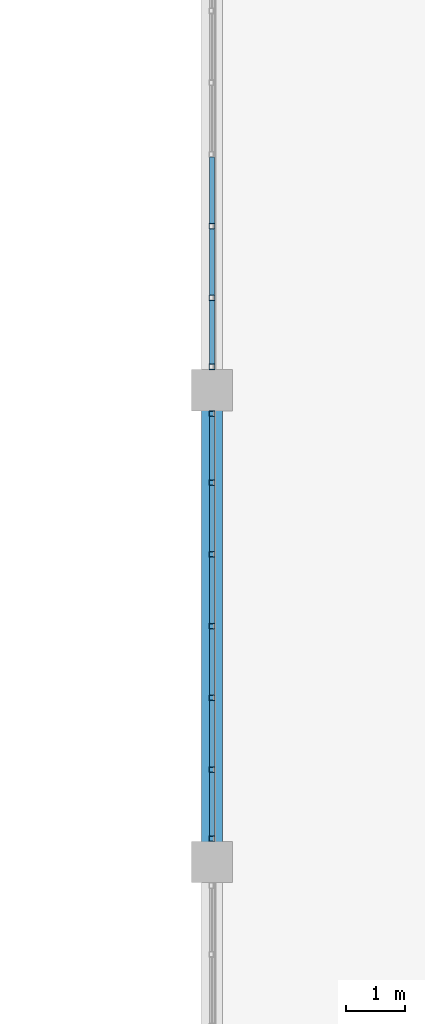
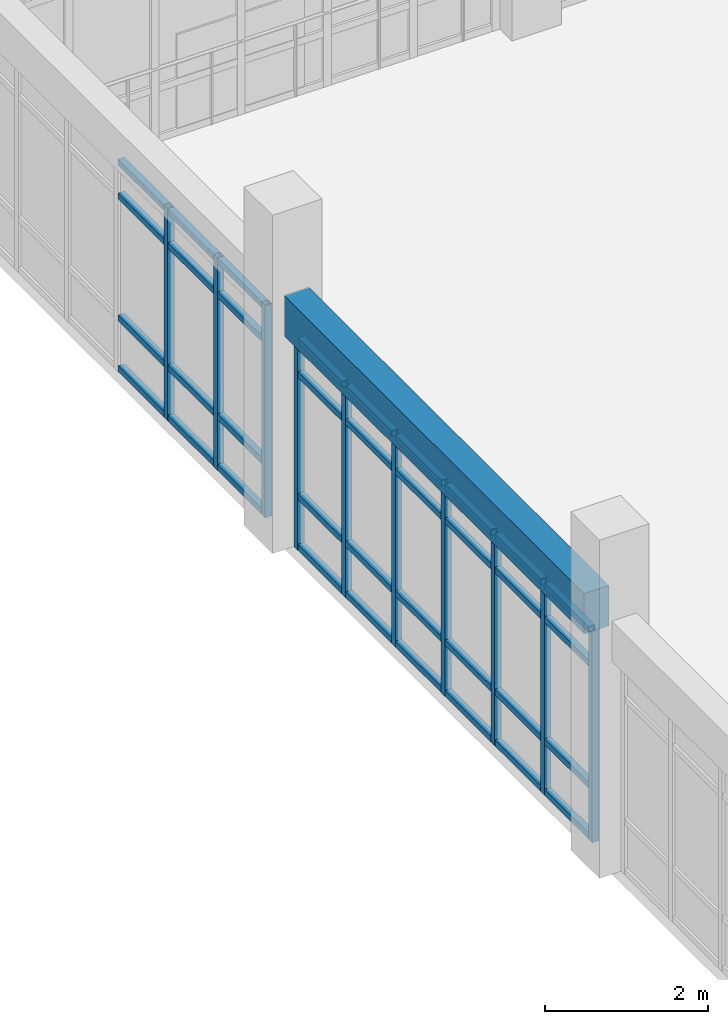
# One storey, part 97 of 159: 46 members, 1 beam, 2 elements without a shape of their own.
"""IFC4 building model written with IfcOpenShell, lengths in metres."""

from ifc_helpers import new_model, si_unit, direction, frame, origin, origin_2d, place, context, subcontext, project, spatial, rectangle, hollow_rectangle, extrude, material, material_profile, profile_set, type_object, element, aggregate, save


model = new_model("IFC4")

# Units and contexts
model_context = context("Model", 3, precision=1e-05, world=origin(), true_north=direction((0.0, 1.0)))
body_context = subcontext(model_context, "Body", "Model", "MODEL_VIEW")
ifc_project = project(units=[si_unit("LENGTHUNIT", "METRE"), si_unit("AREAUNIT", "SQUARE_METRE"), si_unit("VOLUMEUNIT", "CUBIC_METRE"), si_unit("PLANEANGLEUNIT", "RADIAN"), si_unit("MASSUNIT", "GRAM", prefix="KILO")], contexts=[model_context])

# Site, building, storey
site_placement = place(None, origin())
site = spatial("IfcSite", under=ifc_project, at=site_placement, CompositionType="ELEMENT")
building_placement = place(site_placement, origin())
building = spatial("IfcBuilding", under=site, at=building_placement, Name="Celadon Cloister-Ring School", CompositionType="ELEMENT")
storey_placement = place(building_placement, frame((0.0, 0.0, 4.5)))
storey = spatial("IfcBuildingStorey", under=building, at=storey_placement, Name="L01", CompositionType="ELEMENT", Elevation=4.5)

# Beam
ifc_material_1 = material(Name="Concrete C35/45", Category="concrete")
ifc_material_profile_1 = material_profile(ifc_material_1, rectangle(XDim=0.35009765625, YDim=0.60009765625, at=origin_2d()), Name="RC350X600")
ifc_profile_set_1 = profile_set([ifc_material_profile_1], Name="Concrete C35/45")
beam_type = type_object("IfcBeamType", Name="BT-02", PredefinedType="BEAM", material=ifc_profile_set_1)
beam_placement = place(storey_placement, frame((142.0, 98.324951171875, 3.47998046875), z_axis=(0.0, 1.0, 0.0), x_axis=(-1.0, 0.0, 0.0)))
element("IfcBeam", 1, at=beam_placement, inside=storey, type_object=beam_type, Name="Beam 1172", PredefinedType="BEAM", context=body_context, shape_type="SweptSolid", body=[
    extrude(rectangle(XDim=0.35009765625, YDim=0.60009765625, at=origin_2d()), origin(), (0.0, 0.0, 1.0), 7.35009765625),
])

# Curtain wall, members
ifc_material_2 = material(Name="Aluminium EN AW-6063 T6", Category="aluminium")
curtain_wall_type = type_object("IfcCurtainWallType", Name="CW-09", PredefinedType="USERDEFINED", material=ifc_material_2)
curtain_wall_1_placement = place(storey_placement, origin())
curtain_wall_1 = element("IfcCurtainWall", 2, at=curtain_wall_1_placement, inside=storey, type_object=curtain_wall_type, Name="Curtain Wall 0187", ObjectType="CURTAIN WALL", PredefinedType="USERDEFINED")
ifc_material_3 = material(Name="Aluminium EN AW-6063 T6", Category="aluminium")
ifc_material_profile_2 = material_profile(ifc_material_3, hollow_rectangle(XDim=0.094970703125, YDim=0.094970703125, WallThickness=0.00390625, at=origin_2d()), Name="RHS95X95X4")
ifc_profile_set_2 = profile_set([ifc_material_profile_2], Name="Aluminium EN AW-6063 T6")
member_type_1 = type_object("IfcMemberType", Name="CM-02", PredefinedType="MULLION", material=ifc_profile_set_2)
member_1_placement = place(storey_placement, frame((142.0, 98.3974609375, 0.0), z_axis=(0.0, 0.0, 1.0), x_axis=(-1.0, 0.0, 0.0)))
member_1 = element("IfcMember", 3, at=member_1_placement, type_object=member_type_1, Name="CW-09 mullion 1", PredefinedType="MULLION", context=body_context, shape_type="SweptSolid", body=[
    extrude(hollow_rectangle(XDim=0.094970703125, YDim=0.094970703125, WallThickness=0.00390625, at=origin_2d()), origin(), (0.0, 0.0, 1.0), 3.172119140625),
])
member_2_placement = place(storey_placement, frame((142.0, 99.566650390625, 0.0), z_axis=(0.0, 0.0, 1.0), x_axis=(-1.0, 0.0, 0.0)))
member_2 = element("IfcMember", 4, at=member_2_placement, type_object=member_type_1, Name="CW-09 mullion 2", PredefinedType="MULLION", context=body_context, shape_type="SweptSolid", body=[
    extrude(hollow_rectangle(XDim=0.094970703125, YDim=0.094970703125, WallThickness=0.00390625, at=origin_2d()), origin(), (0.0, 0.0, 1.0), 3.172119140625),
])
member_3_placement = place(storey_placement, frame((142.0, 100.783447265625, 0.0), z_axis=(0.0, 0.0, 1.0), x_axis=(-1.0, 0.0, 0.0)))
member_3 = element("IfcMember", 5, at=member_3_placement, type_object=member_type_1, Name="CW-09 mullion 3", PredefinedType="MULLION", context=body_context, shape_type="SweptSolid", body=[
    extrude(hollow_rectangle(XDim=0.094970703125, YDim=0.094970703125, WallThickness=0.00390625, at=origin_2d()), origin(), (0.0, 0.0, 1.0), 3.172119140625),
])
member_4_placement = place(storey_placement, frame((142.0, 102.0, 0.0), z_axis=(0.0, 0.0, 1.0), x_axis=(-1.0, 0.0, 0.0)))
member_4 = element("IfcMember", 6, at=member_4_placement, type_object=member_type_1, Name="CW-09 mullion 4", PredefinedType="MULLION", context=body_context, shape_type="SweptSolid", body=[
    extrude(hollow_rectangle(XDim=0.094970703125, YDim=0.094970703125, WallThickness=0.00390625, at=origin_2d()), origin(), (0.0, 0.0, 1.0), 3.172119140625),
])
member_5_placement = place(storey_placement, frame((142.0, 103.216552734375, 0.0), z_axis=(0.0, 0.0, 1.0), x_axis=(-1.0, 0.0, 0.0)))
member_5 = element("IfcMember", 7, at=member_5_placement, type_object=member_type_1, Name="CW-09 mullion 5", PredefinedType="MULLION", context=body_context, shape_type="SweptSolid", body=[
    extrude(hollow_rectangle(XDim=0.094970703125, YDim=0.094970703125, WallThickness=0.00390625, at=origin_2d()), origin(), (0.0, 0.0, 1.0), 3.172119140625),
])
member_6_placement = place(storey_placement, frame((142.0, 104.433349609375, 0.0), z_axis=(0.0, 0.0, 1.0), x_axis=(-1.0, 0.0, 0.0)))
member_6 = element("IfcMember", 8, at=member_6_placement, type_object=member_type_1, Name="CW-09 mullion 6", PredefinedType="MULLION", context=body_context, shape_type="SweptSolid", body=[
    extrude(hollow_rectangle(XDim=0.094970703125, YDim=0.094970703125, WallThickness=0.00390625, at=origin_2d()), origin(), (0.0, 0.0, 1.0), 3.172119140625),
])
member_7_placement = place(storey_placement, frame((142.0, 105.6025390625, 0.0), z_axis=(0.0, 0.0, 1.0), x_axis=(-1.0, 0.0, 0.0)))
member_7 = element("IfcMember", 9, at=member_7_placement, type_object=member_type_1, Name="CW-09 mullion 7", PredefinedType="MULLION", context=body_context, shape_type="SweptSolid", body=[
    extrude(hollow_rectangle(XDim=0.094970703125, YDim=0.094970703125, WallThickness=0.00390625, at=origin_2d()), origin(), (0.0, 0.0, 1.0), 3.172119140625),
])

curtain_wall_2_placement = place(storey_placement, origin())
curtain_wall_2 = element("IfcCurtainWall", 10, at=curtain_wall_2_placement, inside=storey, type_object=curtain_wall_type, Name="Curtain Wall 0188", ObjectType="CURTAIN WALL", PredefinedType="USERDEFINED")
member_8_placement = place(storey_placement, frame((142.0, 106.3974609375, 0.0), z_axis=(0.0, 0.0, 1.0), x_axis=(-1.0, 0.0, 0.0)))
member_8 = element("IfcMember", 11, at=member_8_placement, type_object=member_type_1, Name="CW-09 mullion 1", PredefinedType="MULLION", context=body_context, shape_type="SweptSolid", body=[
    extrude(hollow_rectangle(XDim=0.094970703125, YDim=0.094970703125, WallThickness=0.00390625, at=origin_2d()), origin(), (0.0, 0.0, 1.0), 3.172119140625),
])
member_9_placement = place(storey_placement, frame((142.0, 107.566650390625, 0.0), z_axis=(0.0, 0.0, 1.0), x_axis=(-1.0, 0.0, 0.0)))
member_9 = element("IfcMember", 12, at=member_9_placement, type_object=member_type_1, Name="CW-09 mullion 2", PredefinedType="MULLION", context=body_context, shape_type="SweptSolid", body=[
    extrude(hollow_rectangle(XDim=0.094970703125, YDim=0.094970703125, WallThickness=0.00390625, at=origin_2d()), origin(), (0.0, 0.0, 1.0), 3.172119140625),
])
member_10_placement = place(storey_placement, frame((142.0, 108.783447265625, 0.0), z_axis=(0.0, 0.0, 1.0), x_axis=(-1.0, 0.0, 0.0)))
member_10 = element("IfcMember", 13, at=member_10_placement, type_object=member_type_1, Name="CW-09 mullion 3", PredefinedType="MULLION", context=body_context, shape_type="SweptSolid", body=[
    extrude(hollow_rectangle(XDim=0.094970703125, YDim=0.094970703125, WallThickness=0.00390625, at=origin_2d()), origin(), (0.0, 0.0, 1.0), 3.172119140625),
])

# Member
ifc_material_4 = material(Name="Aluminium EN AW-6063 T6", Category="aluminium")
ifc_material_profile_3 = material_profile(ifc_material_4, hollow_rectangle(XDim=0.090087890625, YDim=0.090087890625, WallThickness=0.00390625, at=origin_2d()), Name="RHS90X90X4")
ifc_profile_set_3 = profile_set([ifc_material_profile_3], Name="Aluminium EN AW-6063 T6")
member_type_2 = type_object("IfcMemberType", Name="CTM-02", PredefinedType="USERDEFINED", material=ifc_profile_set_3)
member_11_placement = place(storey_placement, frame((142.0, 98.445068359375, 0.044921875), z_axis=(0.0, 1.0, 0.0), x_axis=(-1.0, 0.0, 0.0)))
member_11 = element("IfcMember", 14, at=member_11_placement, type_object=member_type_2, Name="CW-09 transom 1.1", ObjectType="TRANSOM", PredefinedType="USERDEFINED", context=body_context, shape_type="SweptSolid", body=[
    extrude(hollow_rectangle(XDim=0.090087890625, YDim=0.090087890625, WallThickness=0.00390625, at=origin_2d()), origin(), (0.0, 0.0, 1.0), 1.07421875),
])

member_12_placement = place(storey_placement, frame((142.0, 98.445068359375, 0.800048828125), z_axis=(0.0, 1.0, 0.0), x_axis=(-1.0, 0.0, 0.0)))
member_12 = element("IfcMember", 15, at=member_12_placement, type_object=member_type_2, Name="CW-09 transom 1.2", ObjectType="TRANSOM", PredefinedType="USERDEFINED", context=body_context, shape_type="SweptSolid", body=[
    extrude(hollow_rectangle(XDim=0.090087890625, YDim=0.090087890625, WallThickness=0.00390625, at=origin_2d()), origin(), (0.0, 0.0, 1.0), 1.07421875),
])

member_13_placement = place(storey_placement, frame((142.0, 98.445068359375, 2.6220703125), z_axis=(0.0, 1.0, 0.0), x_axis=(-1.0, 0.0, 0.0)))
member_13 = element("IfcMember", 16, at=member_13_placement, type_object=member_type_2, Name="CW-09 transom 1.3", ObjectType="TRANSOM", PredefinedType="USERDEFINED", context=body_context, shape_type="SweptSolid", body=[
    extrude(hollow_rectangle(XDim=0.090087890625, YDim=0.090087890625, WallThickness=0.00390625, at=origin_2d()), origin(), (0.0, 0.0, 1.0), 1.07421875),
])

member_14_placement = place(storey_placement, frame((142.0, 98.445068359375, 3.126953125), z_axis=(0.0, 1.0, 0.0), x_axis=(-1.0, 0.0, 0.0)))
member_14 = element("IfcMember", 17, at=member_14_placement, type_object=member_type_2, Name="CW-09 transom 1.4", ObjectType="TRANSOM", PredefinedType="USERDEFINED", context=body_context, shape_type="SweptSolid", body=[
    extrude(hollow_rectangle(XDim=0.090087890625, YDim=0.090087890625, WallThickness=0.00390625, at=origin_2d()), origin(), (0.0, 0.0, 1.0), 1.07421875),
])

member_15_placement = place(storey_placement, frame((142.0, 99.6142578125, 0.044921875), z_axis=(0.0, 1.0, 0.0), x_axis=(-1.0, 0.0, 0.0)))
member_15 = element("IfcMember", 18, at=member_15_placement, type_object=member_type_2, Name="CW-09 transom 2.1", ObjectType="TRANSOM", PredefinedType="USERDEFINED", context=body_context, shape_type="SweptSolid", body=[
    extrude(hollow_rectangle(XDim=0.090087890625, YDim=0.090087890625, WallThickness=0.00390625, at=origin_2d()), origin(), (0.0, 0.0, 1.0), 1.12158203125),
])

member_16_placement = place(storey_placement, frame((142.0, 99.6142578125, 0.800048828125), z_axis=(0.0, 1.0, 0.0), x_axis=(-1.0, 0.0, 0.0)))
member_16 = element("IfcMember", 19, at=member_16_placement, type_object=member_type_2, Name="CW-09 transom 2.2", ObjectType="TRANSOM", PredefinedType="USERDEFINED", context=body_context, shape_type="SweptSolid", body=[
    extrude(hollow_rectangle(XDim=0.090087890625, YDim=0.090087890625, WallThickness=0.00390625, at=origin_2d()), origin(), (0.0, 0.0, 1.0), 1.12158203125),
])

member_17_placement = place(storey_placement, frame((142.0, 99.6142578125, 2.6220703125), z_axis=(0.0, 1.0, 0.0), x_axis=(-1.0, 0.0, 0.0)))
member_17 = element("IfcMember", 20, at=member_17_placement, type_object=member_type_2, Name="CW-09 transom 2.3", ObjectType="TRANSOM", PredefinedType="USERDEFINED", context=body_context, shape_type="SweptSolid", body=[
    extrude(hollow_rectangle(XDim=0.090087890625, YDim=0.090087890625, WallThickness=0.00390625, at=origin_2d()), origin(), (0.0, 0.0, 1.0), 1.12158203125),
])

member_18_placement = place(storey_placement, frame((142.0, 99.6142578125, 3.126953125), z_axis=(0.0, 1.0, 0.0), x_axis=(-1.0, 0.0, 0.0)))
member_18 = element("IfcMember", 21, at=member_18_placement, type_object=member_type_2, Name="CW-09 transom 2.4", ObjectType="TRANSOM", PredefinedType="USERDEFINED", context=body_context, shape_type="SweptSolid", body=[
    extrude(hollow_rectangle(XDim=0.090087890625, YDim=0.090087890625, WallThickness=0.00390625, at=origin_2d()), origin(), (0.0, 0.0, 1.0), 1.12158203125),
])

member_19_placement = place(storey_placement, frame((142.0, 100.830810546875, 0.044921875), z_axis=(0.0, 1.0, 0.0), x_axis=(-1.0, 0.0, 0.0)))
member_19 = element("IfcMember", 22, at=member_19_placement, type_object=member_type_2, Name="CW-09 transom 3.1", ObjectType="TRANSOM", PredefinedType="USERDEFINED", context=body_context, shape_type="SweptSolid", body=[
    extrude(hollow_rectangle(XDim=0.090087890625, YDim=0.090087890625, WallThickness=0.00390625, at=origin_2d()), origin(), (0.0, 0.0, 1.0), 1.12158203125),
])

member_20_placement = place(storey_placement, frame((142.0, 100.830810546875, 0.800048828125), z_axis=(0.0, 1.0, 0.0), x_axis=(-1.0, 0.0, 0.0)))
member_20 = element("IfcMember", 23, at=member_20_placement, type_object=member_type_2, Name="CW-09 transom 3.2", ObjectType="TRANSOM", PredefinedType="USERDEFINED", context=body_context, shape_type="SweptSolid", body=[
    extrude(hollow_rectangle(XDim=0.090087890625, YDim=0.090087890625, WallThickness=0.00390625, at=origin_2d()), origin(), (0.0, 0.0, 1.0), 1.12158203125),
])

member_21_placement = place(storey_placement, frame((142.0, 100.830810546875, 2.6220703125), z_axis=(0.0, 1.0, 0.0), x_axis=(-1.0, 0.0, 0.0)))
member_21 = element("IfcMember", 24, at=member_21_placement, type_object=member_type_2, Name="CW-09 transom 3.3", ObjectType="TRANSOM", PredefinedType="USERDEFINED", context=body_context, shape_type="SweptSolid", body=[
    extrude(hollow_rectangle(XDim=0.090087890625, YDim=0.090087890625, WallThickness=0.00390625, at=origin_2d()), origin(), (0.0, 0.0, 1.0), 1.12158203125),
])

member_22_placement = place(storey_placement, frame((142.0, 100.830810546875, 3.126953125), z_axis=(0.0, 1.0, 0.0), x_axis=(-1.0, 0.0, 0.0)))
member_22 = element("IfcMember", 25, at=member_22_placement, type_object=member_type_2, Name="CW-09 transom 3.4", ObjectType="TRANSOM", PredefinedType="USERDEFINED", context=body_context, shape_type="SweptSolid", body=[
    extrude(hollow_rectangle(XDim=0.090087890625, YDim=0.090087890625, WallThickness=0.00390625, at=origin_2d()), origin(), (0.0, 0.0, 1.0), 1.12158203125),
])

member_23_placement = place(storey_placement, frame((142.0, 102.047607421875, 0.044921875), z_axis=(0.0, 1.0, 0.0), x_axis=(-1.0, 0.0, 0.0)))
member_23 = element("IfcMember", 26, at=member_23_placement, type_object=member_type_2, Name="CW-09 transom 4.1", ObjectType="TRANSOM", PredefinedType="USERDEFINED", context=body_context, shape_type="SweptSolid", body=[
    extrude(hollow_rectangle(XDim=0.090087890625, YDim=0.090087890625, WallThickness=0.00390625, at=origin_2d()), origin(), (0.0, 0.0, 1.0), 1.12158203125),
])

member_24_placement = place(storey_placement, frame((142.0, 102.047607421875, 0.800048828125), z_axis=(0.0, 1.0, 0.0), x_axis=(-1.0, 0.0, 0.0)))
member_24 = element("IfcMember", 27, at=member_24_placement, type_object=member_type_2, Name="CW-09 transom 4.2", ObjectType="TRANSOM", PredefinedType="USERDEFINED", context=body_context, shape_type="SweptSolid", body=[
    extrude(hollow_rectangle(XDim=0.090087890625, YDim=0.090087890625, WallThickness=0.00390625, at=origin_2d()), origin(), (0.0, 0.0, 1.0), 1.12158203125),
])

member_25_placement = place(storey_placement, frame((142.0, 102.047607421875, 2.6220703125), z_axis=(0.0, 1.0, 0.0), x_axis=(-1.0, 0.0, 0.0)))
member_25 = element("IfcMember", 28, at=member_25_placement, type_object=member_type_2, Name="CW-09 transom 4.3", ObjectType="TRANSOM", PredefinedType="USERDEFINED", context=body_context, shape_type="SweptSolid", body=[
    extrude(hollow_rectangle(XDim=0.090087890625, YDim=0.090087890625, WallThickness=0.00390625, at=origin_2d()), origin(), (0.0, 0.0, 1.0), 1.12158203125),
])

member_26_placement = place(storey_placement, frame((142.0, 102.047607421875, 3.126953125), z_axis=(0.0, 1.0, 0.0), x_axis=(-1.0, 0.0, 0.0)))
member_26 = element("IfcMember", 29, at=member_26_placement, type_object=member_type_2, Name="CW-09 transom 4.4", ObjectType="TRANSOM", PredefinedType="USERDEFINED", context=body_context, shape_type="SweptSolid", body=[
    extrude(hollow_rectangle(XDim=0.090087890625, YDim=0.090087890625, WallThickness=0.00390625, at=origin_2d()), origin(), (0.0, 0.0, 1.0), 1.12158203125),
])

member_27_placement = place(storey_placement, frame((142.0, 103.26416015625, 0.044921875), z_axis=(0.0, 1.0, 0.0), x_axis=(-1.0, 0.0, 0.0)))
member_27 = element("IfcMember", 30, at=member_27_placement, type_object=member_type_2, Name="CW-09 transom 5.1", ObjectType="TRANSOM", PredefinedType="USERDEFINED", context=body_context, shape_type="SweptSolid", body=[
    extrude(hollow_rectangle(XDim=0.090087890625, YDim=0.090087890625, WallThickness=0.00390625, at=origin_2d()), origin(), (0.0, 0.0, 1.0), 1.12158203125),
])

member_28_placement = place(storey_placement, frame((142.0, 103.26416015625, 0.800048828125), z_axis=(0.0, 1.0, 0.0), x_axis=(-1.0, 0.0, 0.0)))
member_28 = element("IfcMember", 31, at=member_28_placement, type_object=member_type_2, Name="CW-09 transom 5.2", ObjectType="TRANSOM", PredefinedType="USERDEFINED", context=body_context, shape_type="SweptSolid", body=[
    extrude(hollow_rectangle(XDim=0.090087890625, YDim=0.090087890625, WallThickness=0.00390625, at=origin_2d()), origin(), (0.0, 0.0, 1.0), 1.12158203125),
])

member_29_placement = place(storey_placement, frame((142.0, 103.26416015625, 2.6220703125), z_axis=(0.0, 1.0, 0.0), x_axis=(-1.0, 0.0, 0.0)))
member_29 = element("IfcMember", 32, at=member_29_placement, type_object=member_type_2, Name="CW-09 transom 5.3", ObjectType="TRANSOM", PredefinedType="USERDEFINED", context=body_context, shape_type="SweptSolid", body=[
    extrude(hollow_rectangle(XDim=0.090087890625, YDim=0.090087890625, WallThickness=0.00390625, at=origin_2d()), origin(), (0.0, 0.0, 1.0), 1.12158203125),
])

member_30_placement = place(storey_placement, frame((142.0, 103.26416015625, 3.126953125), z_axis=(0.0, 1.0, 0.0), x_axis=(-1.0, 0.0, 0.0)))
member_30 = element("IfcMember", 33, at=member_30_placement, type_object=member_type_2, Name="CW-09 transom 5.4", ObjectType="TRANSOM", PredefinedType="USERDEFINED", context=body_context, shape_type="SweptSolid", body=[
    extrude(hollow_rectangle(XDim=0.090087890625, YDim=0.090087890625, WallThickness=0.00390625, at=origin_2d()), origin(), (0.0, 0.0, 1.0), 1.12158203125),
])

member_31_placement = place(storey_placement, frame((142.0, 104.480712890625, 0.044921875), z_axis=(0.0, 1.0, 0.0), x_axis=(-1.0, 0.0, 0.0)))
member_31 = element("IfcMember", 34, at=member_31_placement, type_object=member_type_2, Name="CW-09 transom 6.1", ObjectType="TRANSOM", PredefinedType="USERDEFINED", context=body_context, shape_type="SweptSolid", body=[
    extrude(hollow_rectangle(XDim=0.090087890625, YDim=0.090087890625, WallThickness=0.00390625, at=origin_2d()), origin(), (0.0, 0.0, 1.0), 1.07421875),
])

member_32_placement = place(storey_placement, frame((142.0, 104.480712890625, 0.800048828125), z_axis=(0.0, 1.0, 0.0), x_axis=(-1.0, 0.0, 0.0)))
member_32 = element("IfcMember", 35, at=member_32_placement, type_object=member_type_2, Name="CW-09 transom 6.2", ObjectType="TRANSOM", PredefinedType="USERDEFINED", context=body_context, shape_type="SweptSolid", body=[
    extrude(hollow_rectangle(XDim=0.090087890625, YDim=0.090087890625, WallThickness=0.00390625, at=origin_2d()), origin(), (0.0, 0.0, 1.0), 1.07421875),
])

member_33_placement = place(storey_placement, frame((142.0, 104.480712890625, 2.6220703125), z_axis=(0.0, 1.0, 0.0), x_axis=(-1.0, 0.0, 0.0)))
member_33 = element("IfcMember", 36, at=member_33_placement, type_object=member_type_2, Name="CW-09 transom 6.3", ObjectType="TRANSOM", PredefinedType="USERDEFINED", context=body_context, shape_type="SweptSolid", body=[
    extrude(hollow_rectangle(XDim=0.090087890625, YDim=0.090087890625, WallThickness=0.00390625, at=origin_2d()), origin(), (0.0, 0.0, 1.0), 1.07421875),
])

member_34_placement = place(storey_placement, frame((142.0, 104.480712890625, 3.126953125), z_axis=(0.0, 1.0, 0.0), x_axis=(-1.0, 0.0, 0.0)))
member_34 = element("IfcMember", 37, at=member_34_placement, type_object=member_type_2, Name="CW-09 transom 6.4", ObjectType="TRANSOM", PredefinedType="USERDEFINED", context=body_context, shape_type="SweptSolid", body=[
    extrude(hollow_rectangle(XDim=0.090087890625, YDim=0.090087890625, WallThickness=0.00390625, at=origin_2d()), origin(), (0.0, 0.0, 1.0), 1.07421875),
])

aggregate(curtain_wall_1, [member_1, member_2, member_3, member_4, member_5, member_6, member_7, member_11, member_12, member_13, member_14, member_15, member_16, member_17, member_18, member_19, member_20, member_21, member_22, member_23, member_24, member_25, member_26, member_27, member_28, member_29, member_30, member_31, member_32, member_33, member_34])

member_35_placement = place(storey_placement, frame((142.0, 106.445068359375, 0.044921875), z_axis=(0.0, 1.0, 0.0), x_axis=(-1.0, 0.0, 0.0)))
member_35 = element("IfcMember", 38, at=member_35_placement, type_object=member_type_2, Name="CW-09 transom 1.1", ObjectType="TRANSOM", PredefinedType="USERDEFINED", context=body_context, shape_type="SweptSolid", body=[
    extrude(hollow_rectangle(XDim=0.090087890625, YDim=0.090087890625, WallThickness=0.00390625, at=origin_2d()), origin(), (0.0, 0.0, 1.0), 1.07421875),
])

member_36_placement = place(storey_placement, frame((142.0, 106.445068359375, 0.800048828125), z_axis=(0.0, 1.0, 0.0), x_axis=(-1.0, 0.0, 0.0)))
member_36 = element("IfcMember", 39, at=member_36_placement, type_object=member_type_2, Name="CW-09 transom 1.2", ObjectType="TRANSOM", PredefinedType="USERDEFINED", context=body_context, shape_type="SweptSolid", body=[
    extrude(hollow_rectangle(XDim=0.090087890625, YDim=0.090087890625, WallThickness=0.00390625, at=origin_2d()), origin(), (0.0, 0.0, 1.0), 1.07421875),
])

member_37_placement = place(storey_placement, frame((142.0, 106.445068359375, 2.6220703125), z_axis=(0.0, 1.0, 0.0), x_axis=(-1.0, 0.0, 0.0)))
member_37 = element("IfcMember", 40, at=member_37_placement, type_object=member_type_2, Name="CW-09 transom 1.3", ObjectType="TRANSOM", PredefinedType="USERDEFINED", context=body_context, shape_type="SweptSolid", body=[
    extrude(hollow_rectangle(XDim=0.090087890625, YDim=0.090087890625, WallThickness=0.00390625, at=origin_2d()), origin(), (0.0, 0.0, 1.0), 1.07421875),
])

member_38_placement = place(storey_placement, frame((142.0, 106.445068359375, 3.126953125), z_axis=(0.0, 1.0, 0.0), x_axis=(-1.0, 0.0, 0.0)))
member_38 = element("IfcMember", 41, at=member_38_placement, type_object=member_type_2, Name="CW-09 transom 1.4", ObjectType="TRANSOM", PredefinedType="USERDEFINED", context=body_context, shape_type="SweptSolid", body=[
    extrude(hollow_rectangle(XDim=0.090087890625, YDim=0.090087890625, WallThickness=0.00390625, at=origin_2d()), origin(), (0.0, 0.0, 1.0), 1.07421875),
])

member_39_placement = place(storey_placement, frame((142.0, 107.6142578125, 0.044921875), z_axis=(0.0, 1.0, 0.0), x_axis=(-1.0, 0.0, 0.0)))
member_39 = element("IfcMember", 42, at=member_39_placement, type_object=member_type_2, Name="CW-09 transom 2.1", ObjectType="TRANSOM", PredefinedType="USERDEFINED", context=body_context, shape_type="SweptSolid", body=[
    extrude(hollow_rectangle(XDim=0.090087890625, YDim=0.090087890625, WallThickness=0.00390625, at=origin_2d()), origin(), (0.0, 0.0, 1.0), 1.12158203125),
])

member_40_placement = place(storey_placement, frame((142.0, 107.6142578125, 0.800048828125), z_axis=(0.0, 1.0, 0.0), x_axis=(-1.0, 0.0, 0.0)))
member_40 = element("IfcMember", 43, at=member_40_placement, type_object=member_type_2, Name="CW-09 transom 2.2", ObjectType="TRANSOM", PredefinedType="USERDEFINED", context=body_context, shape_type="SweptSolid", body=[
    extrude(hollow_rectangle(XDim=0.090087890625, YDim=0.090087890625, WallThickness=0.00390625, at=origin_2d()), origin(), (0.0, 0.0, 1.0), 1.12158203125),
])

member_41_placement = place(storey_placement, frame((142.0, 107.6142578125, 2.6220703125), z_axis=(0.0, 1.0, 0.0), x_axis=(-1.0, 0.0, 0.0)))
member_41 = element("IfcMember", 44, at=member_41_placement, type_object=member_type_2, Name="CW-09 transom 2.3", ObjectType="TRANSOM", PredefinedType="USERDEFINED", context=body_context, shape_type="SweptSolid", body=[
    extrude(hollow_rectangle(XDim=0.090087890625, YDim=0.090087890625, WallThickness=0.00390625, at=origin_2d()), origin(), (0.0, 0.0, 1.0), 1.12158203125),
])

member_42_placement = place(storey_placement, frame((142.0, 107.6142578125, 3.126953125), z_axis=(0.0, 1.0, 0.0), x_axis=(-1.0, 0.0, 0.0)))
member_42 = element("IfcMember", 45, at=member_42_placement, type_object=member_type_2, Name="CW-09 transom 2.4", ObjectType="TRANSOM", PredefinedType="USERDEFINED", context=body_context, shape_type="SweptSolid", body=[
    extrude(hollow_rectangle(XDim=0.090087890625, YDim=0.090087890625, WallThickness=0.00390625, at=origin_2d()), origin(), (0.0, 0.0, 1.0), 1.12158203125),
])

member_43_placement = place(storey_placement, frame((142.0, 108.830810546875, 0.044921875), z_axis=(0.0, 1.0, 0.0), x_axis=(-1.0, 0.0, 0.0)))
member_43 = element("IfcMember", 46, at=member_43_placement, type_object=member_type_2, Name="CW-09 transom 3.1", ObjectType="TRANSOM", PredefinedType="USERDEFINED", context=body_context, shape_type="SweptSolid", body=[
    extrude(hollow_rectangle(XDim=0.090087890625, YDim=0.090087890625, WallThickness=0.00390625, at=origin_2d()), origin(), (0.0, 0.0, 1.0), 1.12158203125),
])

member_44_placement = place(storey_placement, frame((142.0, 108.830810546875, 0.800048828125), z_axis=(0.0, 1.0, 0.0), x_axis=(-1.0, 0.0, 0.0)))
member_44 = element("IfcMember", 47, at=member_44_placement, type_object=member_type_2, Name="CW-09 transom 3.2", ObjectType="TRANSOM", PredefinedType="USERDEFINED", context=body_context, shape_type="SweptSolid", body=[
    extrude(hollow_rectangle(XDim=0.090087890625, YDim=0.090087890625, WallThickness=0.00390625, at=origin_2d()), origin(), (0.0, 0.0, 1.0), 1.12158203125),
])

member_45_placement = place(storey_placement, frame((142.0, 108.830810546875, 2.6220703125), z_axis=(0.0, 1.0, 0.0), x_axis=(-1.0, 0.0, 0.0)))
member_45 = element("IfcMember", 48, at=member_45_placement, type_object=member_type_2, Name="CW-09 transom 3.3", ObjectType="TRANSOM", PredefinedType="USERDEFINED", context=body_context, shape_type="SweptSolid", body=[
    extrude(hollow_rectangle(XDim=0.090087890625, YDim=0.090087890625, WallThickness=0.00390625, at=origin_2d()), origin(), (0.0, 0.0, 1.0), 1.12158203125),
])

member_46_placement = place(storey_placement, frame((142.0, 108.830810546875, 3.126953125), z_axis=(0.0, 1.0, 0.0), x_axis=(-1.0, 0.0, 0.0)))
member_46 = element("IfcMember", 49, at=member_46_placement, type_object=member_type_2, Name="CW-09 transom 3.4", ObjectType="TRANSOM", PredefinedType="USERDEFINED", context=body_context, shape_type="SweptSolid", body=[
    extrude(hollow_rectangle(XDim=0.090087890625, YDim=0.090087890625, WallThickness=0.00390625, at=origin_2d()), origin(), (0.0, 0.0, 1.0), 1.12158203125),
])

aggregate(curtain_wall_2, [member_8, member_9, member_10, member_35, member_36, member_37, member_38, member_39, member_40, member_41, member_42, member_43, member_44, member_45, member_46])

save(model, "model.ifc")
